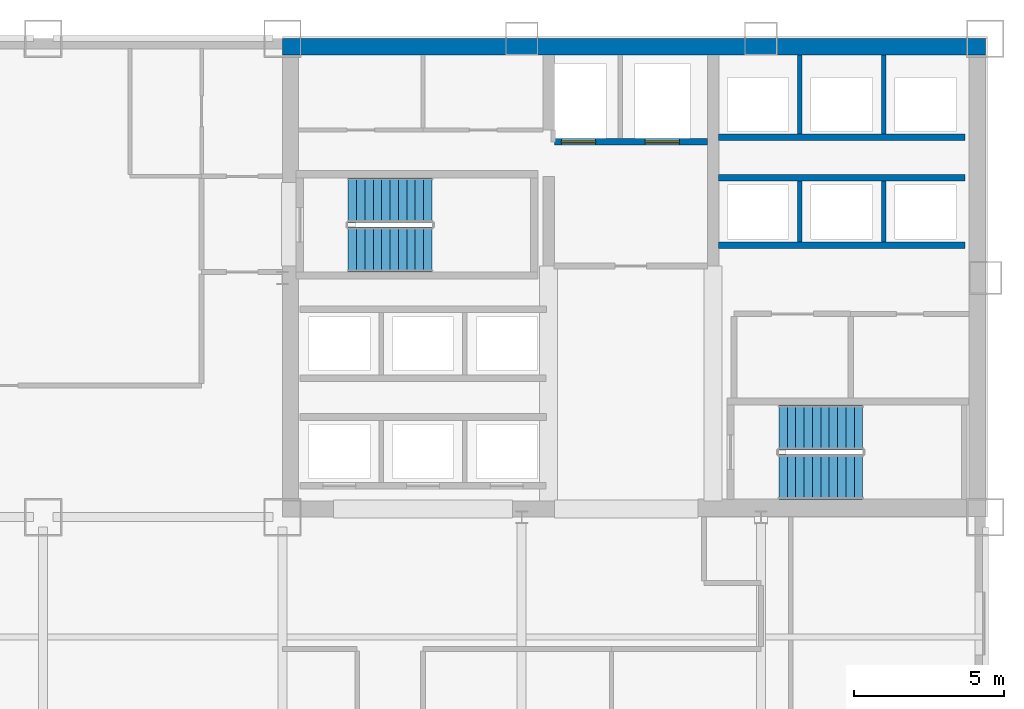
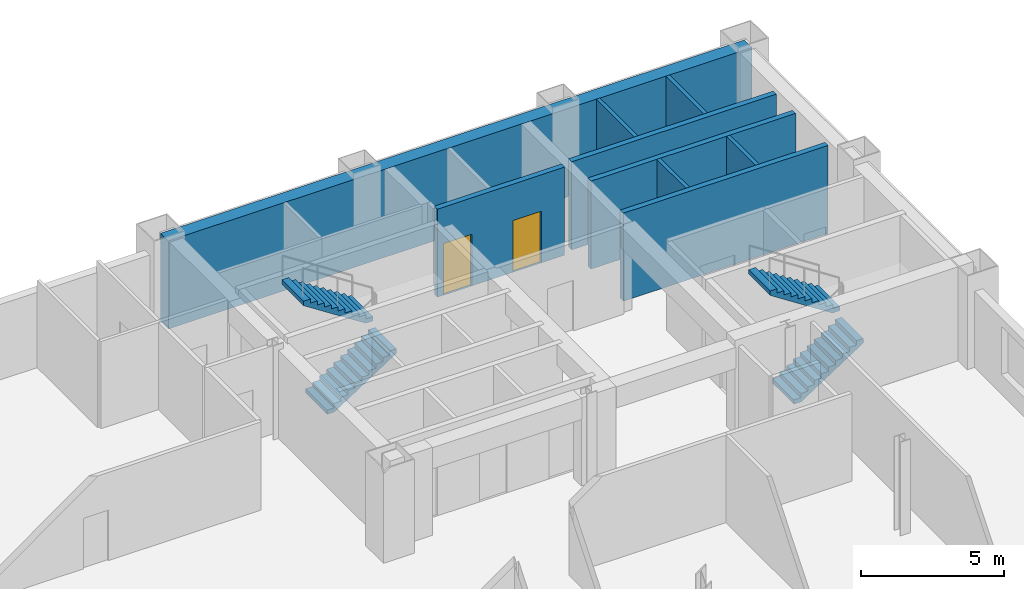
# One storey, part 7 of 9: 9 walls, 4 stair flights, 2 doors, 2 openings, 2 elements without a shape of their own.
"""IFC4 building model written with IfcOpenShell, lengths in metres."""

from ifc_helpers import new_model, si_unit, direction, frame, frame_2d, origin, place, context, subcontext, project, spatial, polyline, rectangle, outline, extrude, material, layer, layer_set, type_object, element, fill, aggregate, save


model = new_model("IFC4")

# Units and contexts
model_context = context("Model", 3, precision=1e-05, world=origin(), true_north=direction((0.0, 1.0)))
body_context = subcontext(model_context, "Body", "Model", "MODEL_VIEW")
ifc_project = project(units=[si_unit("LENGTHUNIT", "METRE"), si_unit("AREAUNIT", "SQUARE_METRE"), si_unit("VOLUMEUNIT", "CUBIC_METRE"), si_unit("PLANEANGLEUNIT", "RADIAN"), si_unit("MASSUNIT", "GRAM", prefix="KILO")], contexts=[model_context])

# Site, building, storey
site_placement = place(None, origin())
site = spatial("IfcSite", under=ifc_project, at=site_placement, CompositionType="ELEMENT")
building_placement = place(site_placement, origin())
building = spatial("IfcBuilding", under=site, at=building_placement, Name="Qianrong Seaharbour Tower", CompositionType="ELEMENT")
storey_placement = place(building_placement, frame((0.0, 0.0, 68.199951171875)))
storey = spatial("IfcBuildingStorey", under=building, at=storey_placement, Name="L16", CompositionType="ELEMENT", Elevation=68.199951171875)

# Walls
ifc_material_1 = material(Name="Concrete C70/85", Category="concrete")
ifc_layer_1 = layer(ifc_material_1, 0.5400390625)
ifc_layer_set_1 = layer_set([ifc_layer_1], Name="Concrete C70/85")
wall_type_1 = type_object("IfcWallType", Name="WALL-CORE-540", PredefinedType="SHEAR", material=ifc_layer_set_1)
wall_1_placement = place(storey_placement, frame((40.5, 51.72998046875, 0.0), z_axis=(0.0, 0.0, 1.0), x_axis=(1.0, 0.0, 0.0)))
element("IfcWall", 1, at=wall_1_placement, inside=storey, type_object=wall_type_1, Name="L16 North Core Shear Wall", PredefinedType="SHEAR", context=body_context, shape_type="SweptSolid", body=[
    extrude(rectangle(XDim=23.5, YDim=0.5400390625, at=frame_2d((11.75, 0.0))), origin(), (0.0, 0.0, 1.0), 3.75),
])
ifc_material_2 = material(Name="Fire-rated gypsum board on steel studs", Category="steel")
ifc_layer_2 = layer(ifc_material_2, 0.14990234375)
ifc_layer_set_2 = layer_set([ifc_layer_2], Name="Fire-rated gypsum board on steel studs")
wall_type_2 = type_object("IfcWallType", Name="WALL-SHAFT-DIV-150", PredefinedType="PARTITIONING", material=ifc_layer_set_2)
for number, where, z_axis, x_axis, name in (
    (2, (57.800048828125, 45.2099609375, 0.0), (0.0, 0.0, 1.0), (0.0, 1.0, 0.0), "L16 P3 Lift Hoistway Divider 2"),
    (3, (60.60009765625, 45.2099609375, 0.0), (0.0, 0.0, 1.0), (0.0, 1.0, 0.0), "L16 P3 Lift Hoistway Divider 3"),
):
    element("IfcWall", number, at=place(storey_placement, frame(where, z_axis=z_axis, x_axis=x_axis)), inside=storey, type_object=wall_type_2, Name=name, PredefinedType="PARTITIONING", context=body_context, shape_type="SweptSolid", body=[
        extrude(rectangle(XDim=2.030029296875, YDim=0.14990234375, at=frame_2d((1.01513671875, 0.0))), origin(), (0.0, 0.0, 1.0), 3.75),
    ])
for number, where, z_axis, x_axis, name in (
    (4, (57.800048828125, 48.81005859375, 0.0), (0.0, 0.0, 1.0), (0.0, 1.0, 0.0), "L16 P4 Lift Hoistway Divider 2"),
    (5, (60.60009765625, 48.81005859375, 0.0), (0.0, 0.0, 1.0), (0.0, 1.0, 0.0), "L16 P4 Lift Hoistway Divider 3"),
):
    element("IfcWall", number, at=place(storey_placement, frame(where, z_axis=z_axis, x_axis=x_axis)), inside=storey, type_object=wall_type_2, Name=name, PredefinedType="PARTITIONING", context=body_context, shape_type="SweptSolid", body=[
        extrude(rectangle(XDim=2.64990234375, YDim=0.14990234375, at=frame_2d((1.324951171875, 0.0))), origin(), (0.0, 0.0, 1.0), 3.75),
    ])

# Wall, openings, doors
ifc_layer_3 = layer(ifc_material_2, 0.219970703125)
ifc_layer_set_3 = layer_set([ifc_layer_3], Name="Fire-rated gypsum board on steel studs")
wall_type_3 = type_object("IfcWallType", Name="WALL-SHAFT-GYP220", PredefinedType="PARTITIONING", material=ifc_layer_set_3)
wall_2_placement = place(storey_placement, frame((54.7099609375, 48.550048828125, 0.0), z_axis=(0.0, 0.0, 1.0), x_axis=(-1.0, 0.0, 0.0)))
wall_2 = element("IfcWall", 6, at=wall_2_placement, inside=storey, type_object=wall_type_3, Name="L16 Firefighting Lift Shaft Front Wall", PredefinedType="PARTITIONING", context=body_context, shape_type="SweptSolid", body=[
    extrude(rectangle(XDim=5.119873046875, YDim=0.219970703125, at=frame_2d((2.56005859375, 0.0))), origin(), (0.0, 0.0, 1.0), 3.75),
])
opening_1_placement = place(wall_2_placement, frame((3.735107421875, 0.0, 0.0)))
opening_1 = element("IfcOpeningElement", 7, at=opening_1_placement, cuts=wall_2, Name="Opening LD-01", PredefinedType="OPENING", context=body_context, shape_type="SweptSolid", body=[
    extrude(rectangle(XDim=1.14990234375, YDim=2.199951171875, at=frame_2d((0.574951171875, 1.10009765625))), frame((0.0, 0.1201171875, 0.0), z_axis=(0.0, -1.0, 0.0), x_axis=(1.0, 0.0, 0.0)), (0.0, 0.0, 1.0), 0.239990234375),
])
opening_2_placement = place(wall_2_placement, frame((0.93505859375, 0.0, 0.0)))
opening_2 = element("IfcOpeningElement", 8, at=opening_2_placement, cuts=wall_2, Name="Opening LD-01", PredefinedType="OPENING", context=body_context, shape_type="SweptSolid", body=[
    extrude(rectangle(XDim=1.14990234375, YDim=2.199951171875, at=frame_2d((0.574951171875, 1.10009765625))), frame((0.0, 0.1201171875, 0.0), z_axis=(0.0, -1.0, 0.0), x_axis=(1.0, 0.0, 0.0)), (0.0, 0.0, 1.0), 0.239990234375),
])
ifc_material_3 = material(Name="Stainless steel SUS316L bi-parting lift landing door", Category="steel")
door_type = type_object("IfcDoorType", Name="DOOR-LIFT-FF-1150x2200", OperationType="DOUBLE_DOOR_SLIDING", PredefinedType="DOOR", material=ifc_material_3)
door_1_placement = place(opening_1_placement, origin())
door_1 = element("IfcDoor", 9, at=door_1_placement, inside=storey, type_object=door_type, Name="L16 FL-1 Firefighting Lift Landing Door", OperationType="DOUBLE_DOOR_SLIDING", OverallHeight=2.199951171875, OverallWidth=1.14990234375, PredefinedType="DOOR", context=body_context, shape_type="SweptSolid", body=[
    extrude(rectangle(XDim=1.14990234375, YDim=2.199951171875, at=frame_2d((0.574951171875, 1.10009765625))), frame((0.0, 0.02490234375, 0.0), z_axis=(0.0, -1.0, 0.0), x_axis=(1.0, 0.0, 0.0)), (0.0, 0.0, 1.0), 0.050048828125),
])
fill(opening_1, door_1)
door_2_placement = place(opening_2_placement, origin())
door_2 = element("IfcDoor", 10, at=door_2_placement, inside=storey, type_object=door_type, Name="L16 FL-2 Firefighting Lift Landing Door", OperationType="DOUBLE_DOOR_SLIDING", OverallHeight=2.199951171875, OverallWidth=1.14990234375, PredefinedType="DOOR", context=body_context, shape_type="SweptSolid", body=[
    extrude(rectangle(XDim=1.14990234375, YDim=2.199951171875, at=frame_2d((0.574951171875, 1.10009765625))), frame((0.0, 0.02490234375, 0.0), z_axis=(0.0, -1.0, 0.0), x_axis=(1.0, 0.0, 0.0)), (0.0, 0.0, 1.0), 0.050048828125),
])
fill(opening_2, door_2)

# Walls
for number, where, z_axis, x_axis, name in (
    (11, (63.320068359375, 45.10009765625, 0.0), (0.0, 0.0, 1.0), (-1.0, 0.0, 0.0), "L16 P3 Lift Hoistway Front Wall"),
    (12, (55.080078125, 47.35009765625, 0.0), (0.0, 0.0, 1.0), (1.0, 0.0, 0.0), "L16 P3 Lift Hoistway Back Wall"),
    (13, (63.320068359375, 48.699951171875, 0.0), (0.0, 0.0, 1.0), (-1.0, 0.0, 0.0), "L16 P4 Lift Hoistway Front Wall"),
):
    element("IfcWall", number, at=place(storey_placement, frame(where, z_axis=z_axis, x_axis=x_axis)), inside=storey, type_object=wall_type_3, Name=name, PredefinedType="PARTITIONING", context=body_context, shape_type="SweptSolid", body=[
        extrude(rectangle(XDim=8.239990234375, YDim=0.219970703125, at=frame_2d((4.1201171875, 0.0))), origin(), (0.0, 0.0, 1.0), 3.75),
    ])

# Stair, stair flights
ifc_material_4 = material(Name="Concrete C50/60", Category="concrete")
stair_type = type_object("IfcStairType", Name="STAIR-DOGLEG-1500-R22", PredefinedType="HALF_TURN_STAIR", material=ifc_material_4)
stair_1_placement = place(storey_placement, origin())
stair_1 = element("IfcStair", 14, at=stair_1_placement, inside=storey, type_object=stair_type, Name="L16 Protected Escape Stair ST-1", PredefinedType="HALF_TURN_STAIR")
stair_flight_type = type_object("IfcStairFlightType", Name="FLIGHT-STR-1500-R22", PredefinedType="STRAIGHT", material=ifc_material_4)
stair_flight_1_placement = place(storey_placement, frame((42.699951171875, 44.949951171875, 0.0), z_axis=(0.0, 0.0, 1.0), x_axis=(1.0, 0.0, 0.0)))
stair_flight_1 = element("IfcStairFlight", 15, at=stair_flight_1_placement, type_object=stair_flight_type, Name="ST-1 flight 1", NumberOfRisers=11, NumberOfTreads=10, PredefinedType="STRAIGHT", RiserHeight=0.181818182, TreadLength=0.28, context=body_context, shape_type="SweptSolid", body=[
    extrude(outline(polyline([(0.0, 0.0), (0.0, 0.181884765625), (0.280029296875, 0.181884765625), (0.280029296875, 0.363525390625), (0.56005859375, 0.363525390625), (0.56005859375, 0.54541015625), (0.840087890625, 0.54541015625), (0.840087890625, 0.727294921875), (1.1201171875, 0.727294921875), (1.1201171875, 0.9091796875), (1.39990234375, 0.9091796875), (1.39990234375, 1.0908203125), (1.679931640625, 1.0908203125), (1.679931640625, 1.272705078125), (1.9599609375, 1.272705078125), (1.9599609375, 1.45458984375), (2.239990234375, 1.45458984375), (2.239990234375, 1.636474609375), (2.52001953125, 1.636474609375), (2.52001953125, 1.818115234375), (2.800048828125, 1.818115234375), (2.800048828125, 2.0), (2.800048828125, 1.62744140625), (0.293701171875, 0.0), (0.0, 0.0)])), frame((0.0, 0.75, 0.0), z_axis=(0.0, -1.0, 0.0), x_axis=(1.0, 0.0, 0.0)), (0.0, 0.0, 1.0), 1.5),
])
stair_flight_2_placement = place(storey_placement, frame((45.5, 46.60009765625, 2.0), z_axis=(0.0, 0.0, 1.0), x_axis=(-1.0, 0.0, 0.0)))
stair_flight_2 = element("IfcStairFlight", 16, at=stair_flight_2_placement, type_object=stair_flight_type, Name="ST-1 flight 2", NumberOfRisers=11, NumberOfTreads=10, PredefinedType="STRAIGHT", RiserHeight=0.181818182, TreadLength=0.28, context=body_context, shape_type="SweptSolid", body=[
    extrude(outline(polyline([(0.0, 0.0), (0.0, 0.181884765625), (0.280029296875, 0.181884765625), (0.280029296875, 0.363525390625), (0.56005859375, 0.363525390625), (0.56005859375, 0.54541015625), (0.840087890625, 0.54541015625), (0.840087890625, 0.727294921875), (1.1201171875, 0.727294921875), (1.1201171875, 0.9091796875), (1.39990234375, 0.9091796875), (1.39990234375, 1.0908203125), (1.679931640625, 1.0908203125), (1.679931640625, 1.272705078125), (1.9599609375, 1.272705078125), (1.9599609375, 1.45458984375), (2.239990234375, 1.45458984375), (2.239990234375, 1.636474609375), (2.52001953125, 1.636474609375), (2.52001953125, 1.818115234375), (2.800048828125, 1.818115234375), (2.800048828125, 2.0), (2.800048828125, 1.62744140625), (0.293701171875, 0.0), (0.0, 0.0)])), frame((0.0, 0.75, 0.0), z_axis=(0.0, -1.0, 0.0), x_axis=(1.0, 0.0, 0.0)), (0.0, 0.0, 1.0), 1.5),
])
aggregate(stair_1, [stair_flight_1, stair_flight_2])

stair_2_placement = place(storey_placement, origin())
stair_2 = element("IfcStair", 17, at=stair_2_placement, inside=storey, type_object=stair_type, Name="L16 Protected Escape Stair ST-2", PredefinedType="HALF_TURN_STAIR")
stair_flight_3_placement = place(storey_placement, frame((57.10009765625, 37.35009765625, 0.0), z_axis=(0.0, 0.0, 1.0), x_axis=(1.0, 0.0, 0.0)))
stair_flight_3 = element("IfcStairFlight", 18, at=stair_flight_3_placement, type_object=stair_flight_type, Name="ST-2 flight 1", NumberOfRisers=11, NumberOfTreads=10, PredefinedType="STRAIGHT", RiserHeight=0.181818182, TreadLength=0.28, context=body_context, shape_type="SweptSolid", body=[
    extrude(outline(polyline([(0.0, 0.0), (0.0, 0.181884765625), (0.280029296875, 0.181884765625), (0.280029296875, 0.363525390625), (0.56005859375, 0.363525390625), (0.56005859375, 0.54541015625), (0.840087890625, 0.54541015625), (0.840087890625, 0.727294921875), (1.1201171875, 0.727294921875), (1.1201171875, 0.9091796875), (1.39990234375, 0.9091796875), (1.39990234375, 1.0908203125), (1.679931640625, 1.0908203125), (1.679931640625, 1.272705078125), (1.9599609375, 1.272705078125), (1.9599609375, 1.45458984375), (2.239990234375, 1.45458984375), (2.239990234375, 1.636474609375), (2.52001953125, 1.636474609375), (2.52001953125, 1.818115234375), (2.800048828125, 1.818115234375), (2.800048828125, 2.0), (2.800048828125, 1.62744140625), (0.293701171875, 0.0), (0.0, 0.0)])), frame((0.0, 0.75, 0.0), z_axis=(0.0, -1.0, 0.0), x_axis=(1.0, 0.0, 0.0)), (0.0, 0.0, 1.0), 1.5),
])
stair_flight_4_placement = place(storey_placement, frame((59.89990234375, 39.0, 2.0), z_axis=(0.0, 0.0, 1.0), x_axis=(-1.0, 0.0, 0.0)))
stair_flight_4 = element("IfcStairFlight", 19, at=stair_flight_4_placement, type_object=stair_flight_type, Name="ST-2 flight 2", NumberOfRisers=11, NumberOfTreads=10, PredefinedType="STRAIGHT", RiserHeight=0.181818182, TreadLength=0.28, context=body_context, shape_type="SweptSolid", body=[
    extrude(outline(polyline([(0.0, 0.0), (0.0, 0.181884765625), (0.280029296875, 0.181884765625), (0.280029296875, 0.363525390625), (0.56005859375, 0.363525390625), (0.56005859375, 0.54541015625), (0.840087890625, 0.54541015625), (0.840087890625, 0.727294921875), (1.1201171875, 0.727294921875), (1.1201171875, 0.9091796875), (1.39990234375, 0.9091796875), (1.39990234375, 1.0908203125), (1.679931640625, 1.0908203125), (1.679931640625, 1.272705078125), (1.9599609375, 1.272705078125), (1.9599609375, 1.45458984375), (2.239990234375, 1.45458984375), (2.239990234375, 1.636474609375), (2.52001953125, 1.636474609375), (2.52001953125, 1.818115234375), (2.800048828125, 1.818115234375), (2.800048828125, 2.0), (2.800048828125, 1.62744140625), (0.293701171875, 0.0), (0.0, 0.0)])), frame((0.0, 0.75, 0.0), z_axis=(0.0, -1.0, 0.0), x_axis=(1.0, 0.0, 0.0)), (0.0, 0.0, 1.0), 1.5),
])
aggregate(stair_2, [stair_flight_3, stair_flight_4])

save(model, "model.ifc")
